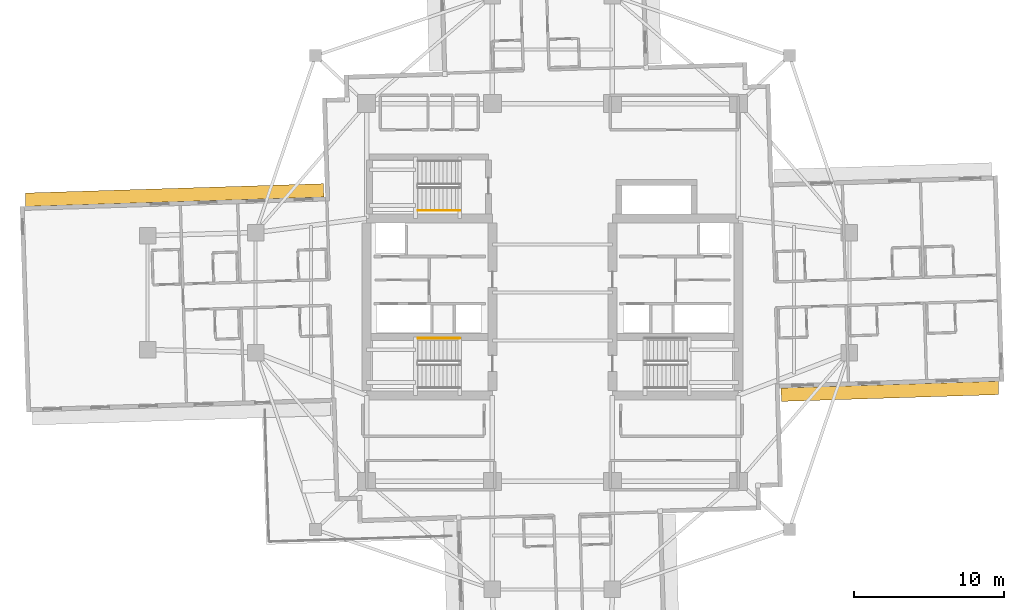
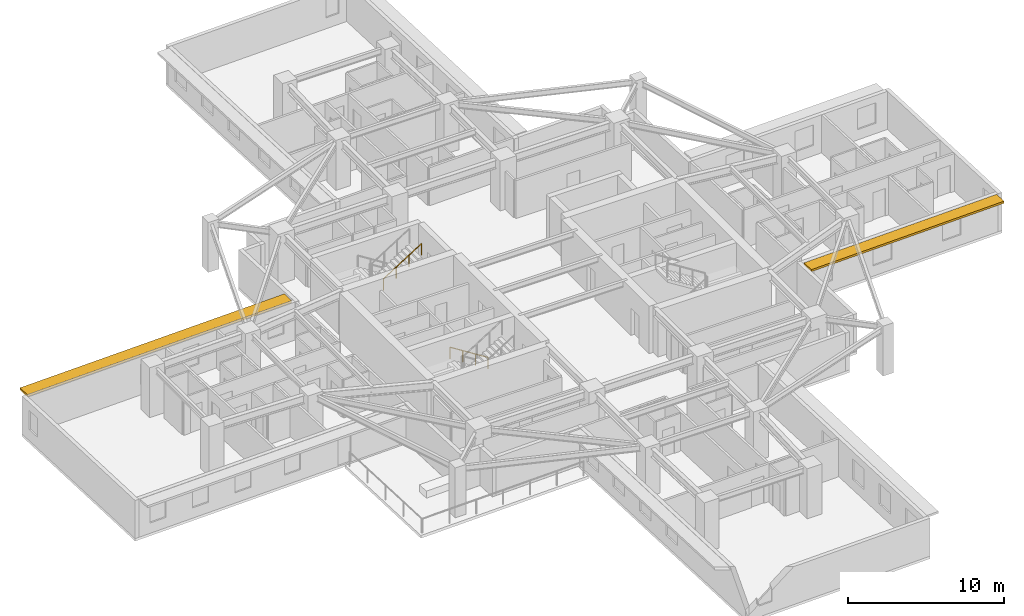
# One storey, part 12 of 14: 2 railings, 2 shading devices.
"""IFC4 building model written with IfcOpenShell, lengths in metres."""

from ifc_helpers import new_model, si_unit, direction, frame, origin, origin_2d, place, context, subcontext, project, spatial, rectangle, circle, extrude, material, layer, layer_set, type_object, element, save


model = new_model("IFC4")

# Units and contexts
model_context = context("Model", 3, precision=1e-05, world=origin(), true_north=direction((0.0, 1.0)))
body_context = subcontext(model_context, "Body", "Model", "MODEL_VIEW")
ifc_project = project(units=[si_unit("LENGTHUNIT", "METRE"), si_unit("AREAUNIT", "SQUARE_METRE"), si_unit("VOLUMEUNIT", "CUBIC_METRE"), si_unit("PLANEANGLEUNIT", "RADIAN"), si_unit("MASSUNIT", "GRAM", prefix="KILO")], contexts=[model_context])

# Site, building, storey
site_placement = place(None, origin())
site = spatial("IfcSite", under=ifc_project, at=site_placement, CompositionType="ELEMENT")
building_placement = place(site_placement, origin())
building = spatial("IfcBuilding", under=site, at=building_placement, Name="Qingluan Cross Belvedere", CompositionType="ELEMENT")
storey_placement = place(building_placement, frame((0.0, 0.0, 112.5)))
storey = spatial("IfcBuildingStorey", under=building, at=storey_placement, Name="L28", CompositionType="ELEMENT", Elevation=112.5)

# Shading devices
ifc_material_1 = material(Name="Precast concrete C45", Category="concrete")
ifc_layer = layer(ifc_material_1, 0.159912109375, Name="ConcreteSunshadeBand_900")
ifc_layer_set = layer_set([ifc_layer], Name="Precast concrete C45")
shading_device_type = type_object("IfcShadingDeviceType", Name="ConcreteSunshadeBand_900", PredefinedType="USERDEFINED", material=ifc_layer_set)
shading_device_1_placement = place(storey_placement, frame((22.508056640625, -6.586181640625, 2.7900390625), z_axis=(0.0, 0.0, 1.0), x_axis=(0.999506645453, 0.031408051437, 0.0)))
element("IfcShadingDevice", 1, at=shading_device_1_placement, inside=storey, type_object=shading_device_type, Name="Concrete SUNSHADE L28-EA", ObjectType="SUNSHADE", PredefinedType="USERDEFINED", context=body_context, shape_type="SweptSolid", body=[
    extrude(rectangle(XDim=14.5, YDim=0.89990234375, at=origin_2d()), origin(), (0.0, 0.0, 1.0), 0.159912109375),
])
shading_device_2_placement = place(storey_placement, frame((-25.206787109375, 6.50146484375, 2.7900390625), z_axis=(0.0, 0.0, 1.0), x_axis=(-0.999506649124, -0.031407934627, 0.0)))
element("IfcShadingDevice", 2, at=shading_device_2_placement, inside=storey, type_object=shading_device_type, Name="Concrete SUNSHADE L28-WA", ObjectType="SUNSHADE", PredefinedType="USERDEFINED", context=body_context, shape_type="SweptSolid", body=[
    extrude(rectangle(XDim=19.89990234375, YDim=0.89990234375, at=origin_2d()), origin(), (0.0, 0.0, 1.0), 0.159912109375),
])

# Railings
ifc_material_2 = material(Name="Brushed stainless steel tubular handrail", Category="steel")
railing_type = type_object("IfcRailingType", Name="StairPitchHandrail_900", PredefinedType="HANDRAIL", material=ifc_material_2)
railing_1_placement = place(storey_placement, frame((-6.179931640625, -3.050048828125, 0.17724609375)))
element("IfcRailing", 3, at=railing_1_placement, inside=storey, type_object=railing_type, Name="L28 ST1 stair handrail 1", PredefinedType="HANDRAIL", context=body_context, shape_type="SweptSolid", body=[
    extrude(circle(Radius=0.02392578125, at=origin_2d()), frame((0.0, 0.0, 0.8759765625), z_axis=(-0.844908973607, 0.0, 0.534910110503), x_axis=(0.0, -1.0, 0.0)), (0.0, 0.0, 1.0), 3.31396484375),
    extrude(circle(Radius=0.02099609375, at=origin_2d()), origin(), (0.0, 0.0, 1.0), 0.851806640625),
    extrude(circle(Radius=0.02099609375, at=origin_2d()), frame((-0.933349609375, 0.0, 0.5908203125)), (0.0, 0.0, 1.0), 0.851806640625),
    extrude(circle(Radius=0.02099609375, at=origin_2d()), frame((-1.86669921875, 0.0, 1.181884765625)), (0.0, 0.0, 1.0), 0.851806640625),
    extrude(circle(Radius=0.02099609375, at=origin_2d()), frame((-2.800048828125, 0.0, 1.772705078125)), (0.0, 0.0, 1.0), 0.851806640625),
])
railing_2_placement = place(storey_placement, frame((-8.97998046875, 5.469970703125, 2.127197265625)))
element("IfcRailing", 4, at=railing_2_placement, inside=storey, type_object=railing_type, Name="L28 ST3 stair handrail 2", PredefinedType="HANDRAIL", context=body_context, shape_type="SweptSolid", body=[
    extrude(circle(Radius=0.02392578125, at=origin_2d()), frame((0.0, 0.0, 0.8759765625), z_axis=(0.844908973607, 0.0, 0.534910110503), x_axis=(0.0, 1.0, 0.0)), (0.0, 0.0, 1.0), 3.31396484375),
    extrude(circle(Radius=0.02099609375, at=origin_2d()), origin(), (0.0, 0.0, 1.0), 0.851806640625),
    extrude(circle(Radius=0.02099609375, at=origin_2d()), frame((0.933349609375, 0.0, 0.5908203125)), (0.0, 0.0, 1.0), 0.851806640625),
    extrude(circle(Radius=0.02099609375, at=origin_2d()), frame((1.86669921875, 0.0, 1.181884765625)), (0.0, 0.0, 1.0), 0.851806640625),
    extrude(circle(Radius=0.02099609375, at=origin_2d()), frame((2.800048828125, 0.0, 1.772705078125)), (0.0, 0.0, 1.0), 0.851806640625),
])

save(model, "model.ifc")
